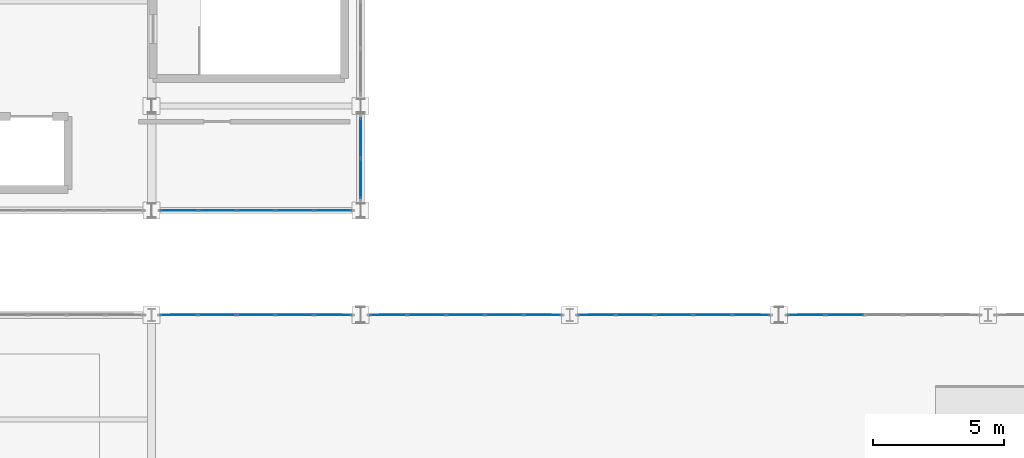
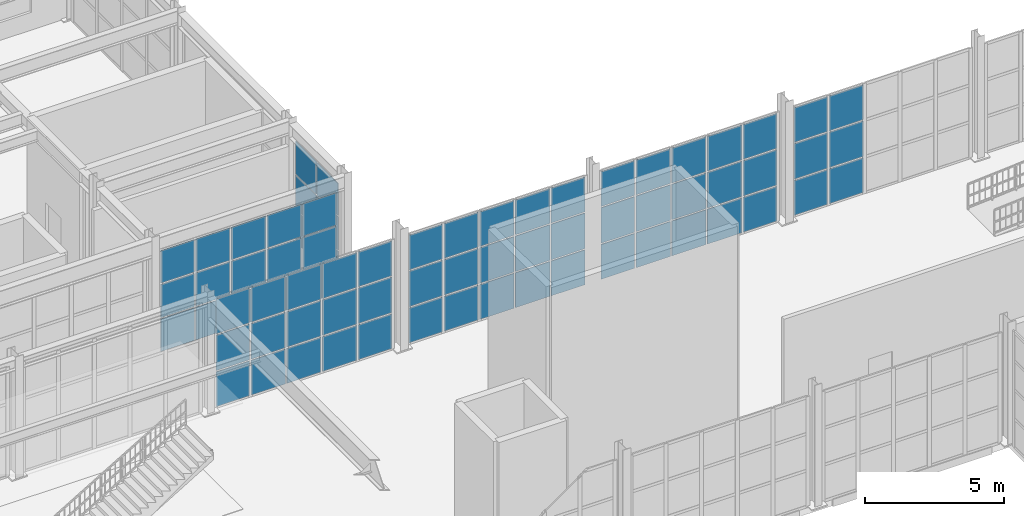
# One storey, part 58 of 82: 72 plates, 6 elements without a shape of their own.
"""IFC4 building model written with IfcOpenShell, lengths in metres."""

from ifc_helpers import new_model, si_unit, direction, frame, origin, origin_2d, place, context, subcontext, project, spatial, rectangle, extrude, material, layer, layer_set, type_object, element, aggregate, save


model = new_model("IFC4")

# Units and contexts
model_context = context("Model", 3, precision=1e-05, world=origin(), true_north=direction((0.0, 1.0)))
body_context = subcontext(model_context, "Body", "Model", "MODEL_VIEW")
ifc_project = project(units=[si_unit("LENGTHUNIT", "METRE"), si_unit("AREAUNIT", "SQUARE_METRE"), si_unit("VOLUMEUNIT", "CUBIC_METRE"), si_unit("PLANEANGLEUNIT", "RADIAN"), si_unit("MASSUNIT", "GRAM", prefix="KILO")], contexts=[model_context])

# Site, building, storey
site_placement = place(None, origin())
site = spatial("IfcSite", under=ifc_project, at=site_placement, CompositionType="ELEMENT")
building_placement = place(site_placement, origin())
building = spatial("IfcBuilding", under=site, at=building_placement, Name="Serraluz Foothill Cableway Terminal", CompositionType="ELEMENT")
storey_placement = place(building_placement, frame((0.0, 0.0, 9.60009765625)))
storey = spatial("IfcBuildingStorey", under=building, at=storey_placement, Name="L02", CompositionType="ELEMENT", Elevation=9.60009765625)

# Curtain wall, plates
ifc_material_1 = material(Name="Architectural bronze alloy C28000", Category="aluminium")
curtain_wall_type_1 = type_object("IfcCurtainWallType", Name="TYP-CW-380X420", PredefinedType="NOTDEFINED", material=ifc_material_1)
curtain_wall_1_placement = place(storey_placement, origin())
curtain_wall_1 = element("IfcCurtainWall", 1, at=curtain_wall_1_placement, inside=storey, type_object=curtain_wall_type_1, Name="Ribbed Glazed Curtain Wall CW-V1N-L02-96", PredefinedType="NOTDEFINED")
ifc_material_2 = material(Name="Translucent ribbed laminated channel glass", Category="glass")
ifc_layer = layer(ifc_material_2, 0.028076171875, Name="Translucent ribbed laminated channel glass", Category="glass")
ifc_layer_set = layer_set([ifc_layer], Name="Translucent ribbed laminated channel glass")
plate_type = type_object("IfcPlateType", Name="TYP-CW-PNL-28", PredefinedType="CURTAIN_PANEL", material=ifc_layer_set)
plate_1_placement = place(storey_placement, frame((97.0380859375, 72.0, 0.06005859375), z_axis=(0.0, 0.0, 1.0), x_axis=(1.0, 0.0, 0.0)))
plate_1 = element("IfcPlate", 2, at=plate_1_placement, type_object=plate_type, Name="CW-17 panel 1.1", PredefinedType="CURTAIN_PANEL", context=body_context, shape_type="SweptSolid", body=[
    extrude(rectangle(XDim=1.393310546875, YDim=0.028076171875, at=origin_2d()), origin(), (0.0, 0.0, 1.0), 1.526611328125),
])
plate_2_placement = place(storey_placement, frame((97.0380859375, 72.0, 1.646484375), z_axis=(0.0, 0.0, 1.0), x_axis=(1.0, 0.0, 0.0)))
plate_2 = element("IfcPlate", 3, at=plate_2_placement, type_object=plate_type, Name="CW-17 panel 1.2", PredefinedType="CURTAIN_PANEL", context=body_context, shape_type="SweptSolid", body=[
    extrude(rectangle(XDim=1.393310546875, YDim=0.028076171875, at=origin_2d()), origin(), (0.0, 0.0, 1.0), 1.556640625),
])
plate_3_placement = place(storey_placement, frame((97.0380859375, 72.0, 3.26318359375), z_axis=(0.0, 0.0, 1.0), x_axis=(1.0, 0.0, 0.0)))
plate_3 = element("IfcPlate", 4, at=plate_3_placement, type_object=plate_type, Name="CW-17 panel 1.3", PredefinedType="CURTAIN_PANEL", context=body_context, shape_type="SweptSolid", body=[
    extrude(rectangle(XDim=1.393310546875, YDim=0.028076171875, at=origin_2d()), origin(), (0.0, 0.0, 1.0), 1.526611328125),
])
plate_4_placement = place(storey_placement, frame((98.50634765625, 72.0, 0.06005859375), z_axis=(0.0, 0.0, 1.0), x_axis=(1.0, 0.0, 0.0)))
plate_4 = element("IfcPlate", 5, at=plate_4_placement, type_object=plate_type, Name="CW-17 panel 2.1", PredefinedType="CURTAIN_PANEL", context=body_context, shape_type="SweptSolid", body=[
    extrude(rectangle(XDim=1.423095703125, YDim=0.028076171875, at=origin_2d()), origin(), (0.0, 0.0, 1.0), 1.526611328125),
])
plate_5_placement = place(storey_placement, frame((98.50634765625, 72.0, 1.646484375), z_axis=(0.0, 0.0, 1.0), x_axis=(1.0, 0.0, 0.0)))
plate_5 = element("IfcPlate", 6, at=plate_5_placement, type_object=plate_type, Name="CW-17 panel 2.2", PredefinedType="CURTAIN_PANEL", context=body_context, shape_type="SweptSolid", body=[
    extrude(rectangle(XDim=1.423095703125, YDim=0.028076171875, at=origin_2d()), origin(), (0.0, 0.0, 1.0), 1.556640625),
])
plate_6_placement = place(storey_placement, frame((98.50634765625, 72.0, 3.26318359375), z_axis=(0.0, 0.0, 1.0), x_axis=(1.0, 0.0, 0.0)))
plate_6 = element("IfcPlate", 7, at=plate_6_placement, type_object=plate_type, Name="CW-17 panel 2.3", PredefinedType="CURTAIN_PANEL", context=body_context, shape_type="SweptSolid", body=[
    extrude(rectangle(XDim=1.423095703125, YDim=0.028076171875, at=origin_2d()), origin(), (0.0, 0.0, 1.0), 1.526611328125),
])
plate_7_placement = place(storey_placement, frame((99.989501953125, 72.0, 0.06005859375), z_axis=(0.0, 0.0, 1.0), x_axis=(1.0, 0.0, 0.0)))
plate_7 = element("IfcPlate", 8, at=plate_7_placement, type_object=plate_type, Name="CW-17 panel 3.1", PredefinedType="CURTAIN_PANEL", context=body_context, shape_type="SweptSolid", body=[
    extrude(rectangle(XDim=1.423095703125, YDim=0.028076171875, at=origin_2d()), origin(), (0.0, 0.0, 1.0), 1.526611328125),
])
plate_8_placement = place(storey_placement, frame((99.989501953125, 72.0, 1.646484375), z_axis=(0.0, 0.0, 1.0), x_axis=(1.0, 0.0, 0.0)))
plate_8 = element("IfcPlate", 9, at=plate_8_placement, type_object=plate_type, Name="CW-17 panel 3.2", PredefinedType="CURTAIN_PANEL", context=body_context, shape_type="SweptSolid", body=[
    extrude(rectangle(XDim=1.423095703125, YDim=0.028076171875, at=origin_2d()), origin(), (0.0, 0.0, 1.0), 1.556640625),
])
plate_9_placement = place(storey_placement, frame((99.989501953125, 72.0, 3.26318359375), z_axis=(0.0, 0.0, 1.0), x_axis=(1.0, 0.0, 0.0)))
plate_9 = element("IfcPlate", 10, at=plate_9_placement, type_object=plate_type, Name="CW-17 panel 3.3", PredefinedType="CURTAIN_PANEL", context=body_context, shape_type="SweptSolid", body=[
    extrude(rectangle(XDim=1.423095703125, YDim=0.028076171875, at=origin_2d()), origin(), (0.0, 0.0, 1.0), 1.526611328125),
])
plate_10_placement = place(storey_placement, frame((101.47265625, 72.0, 0.06005859375), z_axis=(0.0, 0.0, 1.0), x_axis=(1.0, 0.0, 0.0)))
plate_10 = element("IfcPlate", 11, at=plate_10_placement, type_object=plate_type, Name="CW-17 panel 4.1", PredefinedType="CURTAIN_PANEL", context=body_context, shape_type="SweptSolid", body=[
    extrude(rectangle(XDim=1.423095703125, YDim=0.028076171875, at=origin_2d()), origin(), (0.0, 0.0, 1.0), 1.526611328125),
])
plate_11_placement = place(storey_placement, frame((101.47265625, 72.0, 1.646484375), z_axis=(0.0, 0.0, 1.0), x_axis=(1.0, 0.0, 0.0)))
plate_11 = element("IfcPlate", 12, at=plate_11_placement, type_object=plate_type, Name="CW-17 panel 4.2", PredefinedType="CURTAIN_PANEL", context=body_context, shape_type="SweptSolid", body=[
    extrude(rectangle(XDim=1.423095703125, YDim=0.028076171875, at=origin_2d()), origin(), (0.0, 0.0, 1.0), 1.556640625),
])
plate_12_placement = place(storey_placement, frame((101.47265625, 72.0, 3.26318359375), z_axis=(0.0, 0.0, 1.0), x_axis=(1.0, 0.0, 0.0)))
plate_12 = element("IfcPlate", 13, at=plate_12_placement, type_object=plate_type, Name="CW-17 panel 4.3", PredefinedType="CURTAIN_PANEL", context=body_context, shape_type="SweptSolid", body=[
    extrude(rectangle(XDim=1.423095703125, YDim=0.028076171875, at=origin_2d()), origin(), (0.0, 0.0, 1.0), 1.526611328125),
])
plate_13_placement = place(storey_placement, frame((102.94091796875, 72.0, 0.06005859375), z_axis=(0.0, 0.0, 1.0), x_axis=(1.0, 0.0, 0.0)))
plate_13 = element("IfcPlate", 14, at=plate_13_placement, type_object=plate_type, Name="CW-17 panel 5.1", PredefinedType="CURTAIN_PANEL", context=body_context, shape_type="SweptSolid", body=[
    extrude(rectangle(XDim=1.393310546875, YDim=0.028076171875, at=origin_2d()), origin(), (0.0, 0.0, 1.0), 1.526611328125),
])
plate_14_placement = place(storey_placement, frame((102.94091796875, 72.0, 1.646484375), z_axis=(0.0, 0.0, 1.0), x_axis=(1.0, 0.0, 0.0)))
plate_14 = element("IfcPlate", 15, at=plate_14_placement, type_object=plate_type, Name="CW-17 panel 5.2", PredefinedType="CURTAIN_PANEL", context=body_context, shape_type="SweptSolid", body=[
    extrude(rectangle(XDim=1.393310546875, YDim=0.028076171875, at=origin_2d()), origin(), (0.0, 0.0, 1.0), 1.556640625),
])
plate_15_placement = place(storey_placement, frame((102.94091796875, 72.0, 3.26318359375), z_axis=(0.0, 0.0, 1.0), x_axis=(1.0, 0.0, 0.0)))
plate_15 = element("IfcPlate", 16, at=plate_15_placement, type_object=plate_type, Name="CW-17 panel 5.3", PredefinedType="CURTAIN_PANEL", context=body_context, shape_type="SweptSolid", body=[
    extrude(rectangle(XDim=1.393310546875, YDim=0.028076171875, at=origin_2d()), origin(), (0.0, 0.0, 1.0), 1.526611328125),
])
aggregate(curtain_wall_1, [plate_1, plate_2, plate_3, plate_4, plate_5, plate_6, plate_7, plate_8, plate_9, plate_10, plate_11, plate_12, plate_13, plate_14, plate_15])

curtain_wall_type_2 = type_object("IfcCurtainWallType", Name="TYP-CW-360X380", PredefinedType="NOTDEFINED", material=ifc_material_1)
curtain_wall_2_placement = place(storey_placement, origin())
curtain_wall_2 = element("IfcCurtainWall", 17, at=curtain_wall_2_placement, inside=storey, type_object=curtain_wall_type_2, Name="Ribbed Glazed Curtain Wall CW-V1N-L02-104", PredefinedType="NOTDEFINED")
plate_16_placement = place(storey_placement, frame((105.05908203125, 72.0, 0.06005859375), z_axis=(0.0, 0.0, 1.0), x_axis=(1.0, 0.0, 0.0)))
plate_16 = element("IfcPlate", 18, at=plate_16_placement, type_object=plate_type, Name="CW-18 panel 1.1", PredefinedType="CURTAIN_PANEL", context=body_context, shape_type="SweptSolid", body=[
    extrude(rectangle(XDim=1.393310546875, YDim=0.028076171875, at=origin_2d()), origin(), (0.0, 0.0, 1.0), 1.526611328125),
])
plate_17_placement = place(storey_placement, frame((105.05908203125, 72.0, 1.646484375), z_axis=(0.0, 0.0, 1.0), x_axis=(1.0, 0.0, 0.0)))
plate_17 = element("IfcPlate", 19, at=plate_17_placement, type_object=plate_type, Name="CW-18 panel 1.2", PredefinedType="CURTAIN_PANEL", context=body_context, shape_type="SweptSolid", body=[
    extrude(rectangle(XDim=1.393310546875, YDim=0.028076171875, at=origin_2d()), origin(), (0.0, 0.0, 1.0), 1.556640625),
])
plate_18_placement = place(storey_placement, frame((105.05908203125, 72.0, 3.26318359375), z_axis=(0.0, 0.0, 1.0), x_axis=(1.0, 0.0, 0.0)))
plate_18 = element("IfcPlate", 20, at=plate_18_placement, type_object=plate_type, Name="CW-18 panel 1.3", PredefinedType="CURTAIN_PANEL", context=body_context, shape_type="SweptSolid", body=[
    extrude(rectangle(XDim=1.393310546875, YDim=0.028076171875, at=origin_2d()), origin(), (0.0, 0.0, 1.0), 1.526611328125),
])
plate_19_placement = place(storey_placement, frame((106.52734375, 72.0, 0.06005859375), z_axis=(0.0, 0.0, 1.0), x_axis=(1.0, 0.0, 0.0)))
plate_19 = element("IfcPlate", 21, at=plate_19_placement, type_object=plate_type, Name="CW-18 panel 2.1", PredefinedType="CURTAIN_PANEL", context=body_context, shape_type="SweptSolid", body=[
    extrude(rectangle(XDim=1.423095703125, YDim=0.028076171875, at=origin_2d()), origin(), (0.0, 0.0, 1.0), 1.526611328125),
])
plate_20_placement = place(storey_placement, frame((106.52734375, 72.0, 1.646484375), z_axis=(0.0, 0.0, 1.0), x_axis=(1.0, 0.0, 0.0)))
plate_20 = element("IfcPlate", 22, at=plate_20_placement, type_object=plate_type, Name="CW-18 panel 2.2", PredefinedType="CURTAIN_PANEL", context=body_context, shape_type="SweptSolid", body=[
    extrude(rectangle(XDim=1.423095703125, YDim=0.028076171875, at=origin_2d()), origin(), (0.0, 0.0, 1.0), 1.556640625),
])
plate_21_placement = place(storey_placement, frame((106.52734375, 72.0, 3.26318359375), z_axis=(0.0, 0.0, 1.0), x_axis=(1.0, 0.0, 0.0)))
plate_21 = element("IfcPlate", 23, at=plate_21_placement, type_object=plate_type, Name="CW-18 panel 2.3", PredefinedType="CURTAIN_PANEL", context=body_context, shape_type="SweptSolid", body=[
    extrude(rectangle(XDim=1.423095703125, YDim=0.028076171875, at=origin_2d()), origin(), (0.0, 0.0, 1.0), 1.526611328125),
])
plate_22_placement = place(storey_placement, frame((108.010498046875, 72.0, 0.06005859375), z_axis=(0.0, 0.0, 1.0), x_axis=(1.0, 0.0, 0.0)))
plate_22 = element("IfcPlate", 24, at=plate_22_placement, type_object=plate_type, Name="CW-18 panel 3.1", PredefinedType="CURTAIN_PANEL", context=body_context, shape_type="SweptSolid", body=[
    extrude(rectangle(XDim=1.423095703125, YDim=0.028076171875, at=origin_2d()), origin(), (0.0, 0.0, 1.0), 1.526611328125),
])
plate_23_placement = place(storey_placement, frame((108.010498046875, 72.0, 1.646484375), z_axis=(0.0, 0.0, 1.0), x_axis=(1.0, 0.0, 0.0)))
plate_23 = element("IfcPlate", 25, at=plate_23_placement, type_object=plate_type, Name="CW-18 panel 3.2", PredefinedType="CURTAIN_PANEL", context=body_context, shape_type="SweptSolid", body=[
    extrude(rectangle(XDim=1.423095703125, YDim=0.028076171875, at=origin_2d()), origin(), (0.0, 0.0, 1.0), 1.556640625),
])
plate_24_placement = place(storey_placement, frame((108.010498046875, 72.0, 3.26318359375), z_axis=(0.0, 0.0, 1.0), x_axis=(1.0, 0.0, 0.0)))
plate_24 = element("IfcPlate", 26, at=plate_24_placement, type_object=plate_type, Name="CW-18 panel 3.3", PredefinedType="CURTAIN_PANEL", context=body_context, shape_type="SweptSolid", body=[
    extrude(rectangle(XDim=1.423095703125, YDim=0.028076171875, at=origin_2d()), origin(), (0.0, 0.0, 1.0), 1.526611328125),
])
plate_25_placement = place(storey_placement, frame((109.49365234375, 72.0, 0.06005859375), z_axis=(0.0, 0.0, 1.0), x_axis=(1.0, 0.0, 0.0)))
plate_25 = element("IfcPlate", 27, at=plate_25_placement, type_object=plate_type, Name="CW-18 panel 4.1", PredefinedType="CURTAIN_PANEL", context=body_context, shape_type="SweptSolid", body=[
    extrude(rectangle(XDim=1.423095703125, YDim=0.028076171875, at=origin_2d()), origin(), (0.0, 0.0, 1.0), 1.526611328125),
])
plate_26_placement = place(storey_placement, frame((109.49365234375, 72.0, 1.646484375), z_axis=(0.0, 0.0, 1.0), x_axis=(1.0, 0.0, 0.0)))
plate_26 = element("IfcPlate", 28, at=plate_26_placement, type_object=plate_type, Name="CW-18 panel 4.2", PredefinedType="CURTAIN_PANEL", context=body_context, shape_type="SweptSolid", body=[
    extrude(rectangle(XDim=1.423095703125, YDim=0.028076171875, at=origin_2d()), origin(), (0.0, 0.0, 1.0), 1.556640625),
])
plate_27_placement = place(storey_placement, frame((109.49365234375, 72.0, 3.26318359375), z_axis=(0.0, 0.0, 1.0), x_axis=(1.0, 0.0, 0.0)))
plate_27 = element("IfcPlate", 29, at=plate_27_placement, type_object=plate_type, Name="CW-18 panel 4.3", PredefinedType="CURTAIN_PANEL", context=body_context, shape_type="SweptSolid", body=[
    extrude(rectangle(XDim=1.423095703125, YDim=0.028076171875, at=origin_2d()), origin(), (0.0, 0.0, 1.0), 1.526611328125),
])
plate_28_placement = place(storey_placement, frame((110.9619140625, 72.0, 0.06005859375), z_axis=(0.0, 0.0, 1.0), x_axis=(1.0, 0.0, 0.0)))
plate_28 = element("IfcPlate", 30, at=plate_28_placement, type_object=plate_type, Name="CW-18 panel 5.1", PredefinedType="CURTAIN_PANEL", context=body_context, shape_type="SweptSolid", body=[
    extrude(rectangle(XDim=1.393310546875, YDim=0.028076171875, at=origin_2d()), origin(), (0.0, 0.0, 1.0), 1.526611328125),
])
plate_29_placement = place(storey_placement, frame((110.9619140625, 72.0, 1.646484375), z_axis=(0.0, 0.0, 1.0), x_axis=(1.0, 0.0, 0.0)))
plate_29 = element("IfcPlate", 31, at=plate_29_placement, type_object=plate_type, Name="CW-18 panel 5.2", PredefinedType="CURTAIN_PANEL", context=body_context, shape_type="SweptSolid", body=[
    extrude(rectangle(XDim=1.393310546875, YDim=0.028076171875, at=origin_2d()), origin(), (0.0, 0.0, 1.0), 1.556640625),
])
plate_30_placement = place(storey_placement, frame((110.9619140625, 72.0, 3.26318359375), z_axis=(0.0, 0.0, 1.0), x_axis=(1.0, 0.0, 0.0)))
plate_30 = element("IfcPlate", 32, at=plate_30_placement, type_object=plate_type, Name="CW-18 panel 5.3", PredefinedType="CURTAIN_PANEL", context=body_context, shape_type="SweptSolid", body=[
    extrude(rectangle(XDim=1.393310546875, YDim=0.028076171875, at=origin_2d()), origin(), (0.0, 0.0, 1.0), 1.526611328125),
])
aggregate(curtain_wall_2, [plate_16, plate_17, plate_18, plate_19, plate_20, plate_21, plate_22, plate_23, plate_24, plate_25, plate_26, plate_27, plate_28, plate_29, plate_30])

curtain_wall_type_3 = type_object("IfcCurtainWallType", Name="TYP-CW-880X420", PredefinedType="NOTDEFINED", material=ifc_material_1)
curtain_wall_3_placement = place(storey_placement, origin())
curtain_wall_3 = element("IfcCurtainWall", 33, at=curtain_wall_3_placement, inside=storey, type_object=curtain_wall_type_3, Name="Ribbed Glazed Curtain Wall CW-V1N-L02-112", PredefinedType="NOTDEFINED")
plate_31_placement = place(storey_placement, frame((113.0380859375, 72.0, 0.06005859375), z_axis=(0.0, 0.0, 1.0), x_axis=(1.0, 0.0, 0.0)))
plate_31 = element("IfcPlate", 34, at=plate_31_placement, type_object=plate_type, Name="CW-19 panel 1.1", PredefinedType="CURTAIN_PANEL", context=body_context, shape_type="SweptSolid", body=[
    extrude(rectangle(XDim=1.393310546875, YDim=0.028076171875, at=origin_2d()), origin(), (0.0, 0.0, 1.0), 1.526611328125),
])
plate_32_placement = place(storey_placement, frame((113.0380859375, 72.0, 1.646484375), z_axis=(0.0, 0.0, 1.0), x_axis=(1.0, 0.0, 0.0)))
plate_32 = element("IfcPlate", 35, at=plate_32_placement, type_object=plate_type, Name="CW-19 panel 1.2", PredefinedType="CURTAIN_PANEL", context=body_context, shape_type="SweptSolid", body=[
    extrude(rectangle(XDim=1.393310546875, YDim=0.028076171875, at=origin_2d()), origin(), (0.0, 0.0, 1.0), 1.556640625),
])
plate_33_placement = place(storey_placement, frame((113.0380859375, 72.0, 3.26318359375), z_axis=(0.0, 0.0, 1.0), x_axis=(1.0, 0.0, 0.0)))
plate_33 = element("IfcPlate", 36, at=plate_33_placement, type_object=plate_type, Name="CW-19 panel 1.3", PredefinedType="CURTAIN_PANEL", context=body_context, shape_type="SweptSolid", body=[
    extrude(rectangle(XDim=1.393310546875, YDim=0.028076171875, at=origin_2d()), origin(), (0.0, 0.0, 1.0), 1.526611328125),
])
plate_34_placement = place(storey_placement, frame((114.50634765625, 72.0, 0.06005859375), z_axis=(0.0, 0.0, 1.0), x_axis=(1.0, 0.0, 0.0)))
plate_34 = element("IfcPlate", 37, at=plate_34_placement, type_object=plate_type, Name="CW-19 panel 2.1", PredefinedType="CURTAIN_PANEL", context=body_context, shape_type="SweptSolid", body=[
    extrude(rectangle(XDim=1.423095703125, YDim=0.028076171875, at=origin_2d()), origin(), (0.0, 0.0, 1.0), 1.526611328125),
])
plate_35_placement = place(storey_placement, frame((114.50634765625, 72.0, 1.646484375), z_axis=(0.0, 0.0, 1.0), x_axis=(1.0, 0.0, 0.0)))
plate_35 = element("IfcPlate", 38, at=plate_35_placement, type_object=plate_type, Name="CW-19 panel 2.2", PredefinedType="CURTAIN_PANEL", context=body_context, shape_type="SweptSolid", body=[
    extrude(rectangle(XDim=1.423095703125, YDim=0.028076171875, at=origin_2d()), origin(), (0.0, 0.0, 1.0), 1.556640625),
])
plate_36_placement = place(storey_placement, frame((114.50634765625, 72.0, 3.26318359375), z_axis=(0.0, 0.0, 1.0), x_axis=(1.0, 0.0, 0.0)))
plate_36 = element("IfcPlate", 39, at=plate_36_placement, type_object=plate_type, Name="CW-19 panel 2.3", PredefinedType="CURTAIN_PANEL", context=body_context, shape_type="SweptSolid", body=[
    extrude(rectangle(XDim=1.423095703125, YDim=0.028076171875, at=origin_2d()), origin(), (0.0, 0.0, 1.0), 1.526611328125),
])
plate_37_placement = place(storey_placement, frame((115.989501953125, 72.0, 0.06005859375), z_axis=(0.0, 0.0, 1.0), x_axis=(1.0, 0.0, 0.0)))
plate_37 = element("IfcPlate", 40, at=plate_37_placement, type_object=plate_type, Name="CW-19 panel 3.1", PredefinedType="CURTAIN_PANEL", context=body_context, shape_type="SweptSolid", body=[
    extrude(rectangle(XDim=1.423095703125, YDim=0.028076171875, at=origin_2d()), origin(), (0.0, 0.0, 1.0), 1.526611328125),
])
plate_38_placement = place(storey_placement, frame((115.989501953125, 72.0, 1.646484375), z_axis=(0.0, 0.0, 1.0), x_axis=(1.0, 0.0, 0.0)))
plate_38 = element("IfcPlate", 41, at=plate_38_placement, type_object=plate_type, Name="CW-19 panel 3.2", PredefinedType="CURTAIN_PANEL", context=body_context, shape_type="SweptSolid", body=[
    extrude(rectangle(XDim=1.423095703125, YDim=0.028076171875, at=origin_2d()), origin(), (0.0, 0.0, 1.0), 1.556640625),
])
plate_39_placement = place(storey_placement, frame((115.989501953125, 72.0, 3.26318359375), z_axis=(0.0, 0.0, 1.0), x_axis=(1.0, 0.0, 0.0)))
plate_39 = element("IfcPlate", 42, at=plate_39_placement, type_object=plate_type, Name="CW-19 panel 3.3", PredefinedType="CURTAIN_PANEL", context=body_context, shape_type="SweptSolid", body=[
    extrude(rectangle(XDim=1.423095703125, YDim=0.028076171875, at=origin_2d()), origin(), (0.0, 0.0, 1.0), 1.526611328125),
])
plate_40_placement = place(storey_placement, frame((117.47265625, 72.0, 0.06005859375), z_axis=(0.0, 0.0, 1.0), x_axis=(1.0, 0.0, 0.0)))
plate_40 = element("IfcPlate", 43, at=plate_40_placement, type_object=plate_type, Name="CW-19 panel 4.1", PredefinedType="CURTAIN_PANEL", context=body_context, shape_type="SweptSolid", body=[
    extrude(rectangle(XDim=1.423095703125, YDim=0.028076171875, at=origin_2d()), origin(), (0.0, 0.0, 1.0), 1.526611328125),
])
plate_41_placement = place(storey_placement, frame((117.47265625, 72.0, 1.646484375), z_axis=(0.0, 0.0, 1.0), x_axis=(1.0, 0.0, 0.0)))
plate_41 = element("IfcPlate", 44, at=plate_41_placement, type_object=plate_type, Name="CW-19 panel 4.2", PredefinedType="CURTAIN_PANEL", context=body_context, shape_type="SweptSolid", body=[
    extrude(rectangle(XDim=1.423095703125, YDim=0.028076171875, at=origin_2d()), origin(), (0.0, 0.0, 1.0), 1.556640625),
])
plate_42_placement = place(storey_placement, frame((117.47265625, 72.0, 3.26318359375), z_axis=(0.0, 0.0, 1.0), x_axis=(1.0, 0.0, 0.0)))
plate_42 = element("IfcPlate", 45, at=plate_42_placement, type_object=plate_type, Name="CW-19 panel 4.3", PredefinedType="CURTAIN_PANEL", context=body_context, shape_type="SweptSolid", body=[
    extrude(rectangle(XDim=1.423095703125, YDim=0.028076171875, at=origin_2d()), origin(), (0.0, 0.0, 1.0), 1.526611328125),
])
plate_43_placement = place(storey_placement, frame((118.94091796875, 72.0, 0.06005859375), z_axis=(0.0, 0.0, 1.0), x_axis=(1.0, 0.0, 0.0)))
plate_43 = element("IfcPlate", 46, at=plate_43_placement, type_object=plate_type, Name="CW-19 panel 5.1", PredefinedType="CURTAIN_PANEL", context=body_context, shape_type="SweptSolid", body=[
    extrude(rectangle(XDim=1.393310546875, YDim=0.028076171875, at=origin_2d()), origin(), (0.0, 0.0, 1.0), 1.526611328125),
])
plate_44_placement = place(storey_placement, frame((118.94091796875, 72.0, 1.646484375), z_axis=(0.0, 0.0, 1.0), x_axis=(1.0, 0.0, 0.0)))
plate_44 = element("IfcPlate", 47, at=plate_44_placement, type_object=plate_type, Name="CW-19 panel 5.2", PredefinedType="CURTAIN_PANEL", context=body_context, shape_type="SweptSolid", body=[
    extrude(rectangle(XDim=1.393310546875, YDim=0.028076171875, at=origin_2d()), origin(), (0.0, 0.0, 1.0), 1.556640625),
])
plate_45_placement = place(storey_placement, frame((118.94091796875, 72.0, 3.26318359375), z_axis=(0.0, 0.0, 1.0), x_axis=(1.0, 0.0, 0.0)))
plate_45 = element("IfcPlate", 48, at=plate_45_placement, type_object=plate_type, Name="CW-19 panel 5.3", PredefinedType="CURTAIN_PANEL", context=body_context, shape_type="SweptSolid", body=[
    extrude(rectangle(XDim=1.393310546875, YDim=0.028076171875, at=origin_2d()), origin(), (0.0, 0.0, 1.0), 1.526611328125),
])
aggregate(curtain_wall_3, [plate_31, plate_32, plate_33, plate_34, plate_35, plate_36, plate_37, plate_38, plate_39, plate_40, plate_41, plate_42, plate_43, plate_44, plate_45])

curtain_wall_type_4 = type_object("IfcCurtainWallType", Name="TYP-CW-920X440", PredefinedType="NOTDEFINED", material=ifc_material_1)
curtain_wall_4_placement = place(storey_placement, origin())
curtain_wall_4 = element("IfcCurtainWall", 49, at=curtain_wall_4_placement, inside=storey, type_object=curtain_wall_type_4, Name="Ribbed Glazed Curtain Wall CW-V1N-L02-120", PredefinedType="NOTDEFINED")
plate_46_placement = place(storey_placement, frame((121.05908203125, 72.0, 0.06005859375), z_axis=(0.0, 0.0, 1.0), x_axis=(1.0, 0.0, 0.0)))
plate_46 = element("IfcPlate", 50, at=plate_46_placement, type_object=plate_type, Name="CW-20 panel 1.1", PredefinedType="CURTAIN_PANEL", context=body_context, shape_type="SweptSolid", body=[
    extrude(rectangle(XDim=1.393310546875, YDim=0.028076171875, at=origin_2d()), origin(), (0.0, 0.0, 1.0), 1.526611328125),
])
plate_47_placement = place(storey_placement, frame((121.05908203125, 72.0, 1.646484375), z_axis=(0.0, 0.0, 1.0), x_axis=(1.0, 0.0, 0.0)))
plate_47 = element("IfcPlate", 51, at=plate_47_placement, type_object=plate_type, Name="CW-20 panel 1.2", PredefinedType="CURTAIN_PANEL", context=body_context, shape_type="SweptSolid", body=[
    extrude(rectangle(XDim=1.393310546875, YDim=0.028076171875, at=origin_2d()), origin(), (0.0, 0.0, 1.0), 1.556640625),
])
plate_48_placement = place(storey_placement, frame((121.05908203125, 72.0, 3.26318359375), z_axis=(0.0, 0.0, 1.0), x_axis=(1.0, 0.0, 0.0)))
plate_48 = element("IfcPlate", 52, at=plate_48_placement, type_object=plate_type, Name="CW-20 panel 1.3", PredefinedType="CURTAIN_PANEL", context=body_context, shape_type="SweptSolid", body=[
    extrude(rectangle(XDim=1.393310546875, YDim=0.028076171875, at=origin_2d()), origin(), (0.0, 0.0, 1.0), 1.526611328125),
])
plate_49_placement = place(storey_placement, frame((122.52734375, 72.0, 0.06005859375), z_axis=(0.0, 0.0, 1.0), x_axis=(1.0, 0.0, 0.0)))
plate_49 = element("IfcPlate", 53, at=plate_49_placement, type_object=plate_type, Name="CW-20 panel 2.1", PredefinedType="CURTAIN_PANEL", context=body_context, shape_type="SweptSolid", body=[
    extrude(rectangle(XDim=1.423095703125, YDim=0.028076171875, at=origin_2d()), origin(), (0.0, 0.0, 1.0), 1.526611328125),
])
plate_50_placement = place(storey_placement, frame((122.52734375, 72.0, 1.646484375), z_axis=(0.0, 0.0, 1.0), x_axis=(1.0, 0.0, 0.0)))
plate_50 = element("IfcPlate", 54, at=plate_50_placement, type_object=plate_type, Name="CW-20 panel 2.2", PredefinedType="CURTAIN_PANEL", context=body_context, shape_type="SweptSolid", body=[
    extrude(rectangle(XDim=1.423095703125, YDim=0.028076171875, at=origin_2d()), origin(), (0.0, 0.0, 1.0), 1.556640625),
])
plate_51_placement = place(storey_placement, frame((122.52734375, 72.0, 3.26318359375), z_axis=(0.0, 0.0, 1.0), x_axis=(1.0, 0.0, 0.0)))
plate_51 = element("IfcPlate", 55, at=plate_51_placement, type_object=plate_type, Name="CW-20 panel 2.3", PredefinedType="CURTAIN_PANEL", context=body_context, shape_type="SweptSolid", body=[
    extrude(rectangle(XDim=1.423095703125, YDim=0.028076171875, at=origin_2d()), origin(), (0.0, 0.0, 1.0), 1.526611328125),
])
aggregate(curtain_wall_4, [plate_46, plate_47, plate_48, plate_49, plate_50, plate_51])

curtain_wall_type_5 = type_object("IfcCurtainWallType", Name="TYP-CW-680X420", PredefinedType="NOTDEFINED", material=ifc_material_1)
curtain_wall_5_placement = place(storey_placement, origin())
curtain_wall_5 = element("IfcCurtainWall", 56, at=curtain_wall_5_placement, inside=storey, type_object=curtain_wall_type_5, Name="Ribbed Glazed Curtain Wall CW-V4S-L02-96", PredefinedType="NOTDEFINED")
plate_52_placement = place(storey_placement, frame((102.9482421875, 76.0, 0.06005859375), z_axis=(0.0, 0.0, 1.0), x_axis=(-1.0, 0.0, 0.0)))
plate_52 = element("IfcPlate", 57, at=plate_52_placement, type_object=plate_type, Name="CW-13 panel 1.1", PredefinedType="CURTAIN_PANEL", context=body_context, shape_type="SweptSolid", body=[
    extrude(rectangle(XDim=1.3916015625, YDim=0.028076171875, at=origin_2d()), origin(), (0.0, 0.0, 1.0), 1.426025390625),
])
plate_53_placement = place(storey_placement, frame((102.9482421875, 76.0, 1.5458984375), z_axis=(0.0, 0.0, 1.0), x_axis=(-1.0, 0.0, 0.0)))
plate_53 = element("IfcPlate", 58, at=plate_53_placement, type_object=plate_type, Name="CW-13 panel 1.2", PredefinedType="CURTAIN_PANEL", context=body_context, shape_type="SweptSolid", body=[
    extrude(rectangle(XDim=1.3916015625, YDim=0.028076171875, at=origin_2d()), origin(), (0.0, 0.0, 1.0), 1.4560546875),
])
plate_54_placement = place(storey_placement, frame((102.9482421875, 76.0, 3.06201171875), z_axis=(0.0, 0.0, 1.0), x_axis=(-1.0, 0.0, 0.0)))
plate_54 = element("IfcPlate", 59, at=plate_54_placement, type_object=plate_type, Name="CW-13 panel 1.3", PredefinedType="CURTAIN_PANEL", context=body_context, shape_type="SweptSolid", body=[
    extrude(rectangle(XDim=1.3916015625, YDim=0.028076171875, at=origin_2d()), origin(), (0.0, 0.0, 1.0), 1.426025390625),
])
plate_55_placement = place(storey_placement, frame((101.481689453125, 76.0, 0.06005859375), z_axis=(0.0, 0.0, 1.0), x_axis=(-1.0, 0.0, 0.0)))
plate_55 = element("IfcPlate", 60, at=plate_55_placement, type_object=plate_type, Name="CW-13 panel 2.1", PredefinedType="CURTAIN_PANEL", context=body_context, shape_type="SweptSolid", body=[
    extrude(rectangle(XDim=1.421630859375, YDim=0.028076171875, at=origin_2d()), origin(), (0.0, 0.0, 1.0), 1.426025390625),
])
plate_56_placement = place(storey_placement, frame((101.481689453125, 76.0, 1.5458984375), z_axis=(0.0, 0.0, 1.0), x_axis=(-1.0, 0.0, 0.0)))
plate_56 = element("IfcPlate", 61, at=plate_56_placement, type_object=plate_type, Name="CW-13 panel 2.2", PredefinedType="CURTAIN_PANEL", context=body_context, shape_type="SweptSolid", body=[
    extrude(rectangle(XDim=1.421630859375, YDim=0.028076171875, at=origin_2d()), origin(), (0.0, 0.0, 1.0), 1.4560546875),
])
plate_57_placement = place(storey_placement, frame((101.481689453125, 76.0, 3.06201171875), z_axis=(0.0, 0.0, 1.0), x_axis=(-1.0, 0.0, 0.0)))
plate_57 = element("IfcPlate", 62, at=plate_57_placement, type_object=plate_type, Name="CW-13 panel 2.3", PredefinedType="CURTAIN_PANEL", context=body_context, shape_type="SweptSolid", body=[
    extrude(rectangle(XDim=1.421630859375, YDim=0.028076171875, at=origin_2d()), origin(), (0.0, 0.0, 1.0), 1.426025390625),
])
plate_58_placement = place(storey_placement, frame((100.0, 76.0, 0.06005859375), z_axis=(0.0, 0.0, 1.0), x_axis=(-1.0, 0.0, 0.0)))
plate_58 = element("IfcPlate", 63, at=plate_58_placement, type_object=plate_type, Name="CW-13 panel 3.1", PredefinedType="CURTAIN_PANEL", context=body_context, shape_type="SweptSolid", body=[
    extrude(rectangle(XDim=1.421630859375, YDim=0.028076171875, at=origin_2d()), origin(), (0.0, 0.0, 1.0), 1.426025390625),
])
plate_59_placement = place(storey_placement, frame((100.0, 76.0, 1.5458984375), z_axis=(0.0, 0.0, 1.0), x_axis=(-1.0, 0.0, 0.0)))
plate_59 = element("IfcPlate", 64, at=plate_59_placement, type_object=plate_type, Name="CW-13 panel 3.2", PredefinedType="CURTAIN_PANEL", context=body_context, shape_type="SweptSolid", body=[
    extrude(rectangle(XDim=1.421630859375, YDim=0.028076171875, at=origin_2d()), origin(), (0.0, 0.0, 1.0), 1.4560546875),
])
plate_60_placement = place(storey_placement, frame((100.0, 76.0, 3.06201171875), z_axis=(0.0, 0.0, 1.0), x_axis=(-1.0, 0.0, 0.0)))
plate_60 = element("IfcPlate", 65, at=plate_60_placement, type_object=plate_type, Name="CW-13 panel 3.3", PredefinedType="CURTAIN_PANEL", context=body_context, shape_type="SweptSolid", body=[
    extrude(rectangle(XDim=1.421630859375, YDim=0.028076171875, at=origin_2d()), origin(), (0.0, 0.0, 1.0), 1.426025390625),
])
plate_61_placement = place(storey_placement, frame((98.518310546875, 76.0, 0.06005859375), z_axis=(0.0, 0.0, 1.0), x_axis=(-1.0, 0.0, 0.0)))
plate_61 = element("IfcPlate", 66, at=plate_61_placement, type_object=plate_type, Name="CW-13 panel 4.1", PredefinedType="CURTAIN_PANEL", context=body_context, shape_type="SweptSolid", body=[
    extrude(rectangle(XDim=1.421630859375, YDim=0.028076171875, at=origin_2d()), origin(), (0.0, 0.0, 1.0), 1.426025390625),
])
plate_62_placement = place(storey_placement, frame((98.518310546875, 76.0, 1.5458984375), z_axis=(0.0, 0.0, 1.0), x_axis=(-1.0, 0.0, 0.0)))
plate_62 = element("IfcPlate", 67, at=plate_62_placement, type_object=plate_type, Name="CW-13 panel 4.2", PredefinedType="CURTAIN_PANEL", context=body_context, shape_type="SweptSolid", body=[
    extrude(rectangle(XDim=1.421630859375, YDim=0.028076171875, at=origin_2d()), origin(), (0.0, 0.0, 1.0), 1.4560546875),
])
plate_63_placement = place(storey_placement, frame((98.518310546875, 76.0, 3.06201171875), z_axis=(0.0, 0.0, 1.0), x_axis=(-1.0, 0.0, 0.0)))
plate_63 = element("IfcPlate", 68, at=plate_63_placement, type_object=plate_type, Name="CW-13 panel 4.3", PredefinedType="CURTAIN_PANEL", context=body_context, shape_type="SweptSolid", body=[
    extrude(rectangle(XDim=1.421630859375, YDim=0.028076171875, at=origin_2d()), origin(), (0.0, 0.0, 1.0), 1.426025390625),
])
plate_64_placement = place(storey_placement, frame((97.0517578125, 76.0, 0.06005859375), z_axis=(0.0, 0.0, 1.0), x_axis=(-1.0, 0.0, 0.0)))
plate_64 = element("IfcPlate", 69, at=plate_64_placement, type_object=plate_type, Name="CW-13 panel 5.1", PredefinedType="CURTAIN_PANEL", context=body_context, shape_type="SweptSolid", body=[
    extrude(rectangle(XDim=1.3916015625, YDim=0.028076171875, at=origin_2d()), origin(), (0.0, 0.0, 1.0), 1.426025390625),
])
plate_65_placement = place(storey_placement, frame((97.0517578125, 76.0, 1.5458984375), z_axis=(0.0, 0.0, 1.0), x_axis=(-1.0, 0.0, 0.0)))
plate_65 = element("IfcPlate", 70, at=plate_65_placement, type_object=plate_type, Name="CW-13 panel 5.2", PredefinedType="CURTAIN_PANEL", context=body_context, shape_type="SweptSolid", body=[
    extrude(rectangle(XDim=1.3916015625, YDim=0.028076171875, at=origin_2d()), origin(), (0.0, 0.0, 1.0), 1.4560546875),
])
plate_66_placement = place(storey_placement, frame((97.0517578125, 76.0, 3.06201171875), z_axis=(0.0, 0.0, 1.0), x_axis=(-1.0, 0.0, 0.0)))
plate_66 = element("IfcPlate", 71, at=plate_66_placement, type_object=plate_type, Name="CW-13 panel 5.3", PredefinedType="CURTAIN_PANEL", context=body_context, shape_type="SweptSolid", body=[
    extrude(rectangle(XDim=1.3916015625, YDim=0.028076171875, at=origin_2d()), origin(), (0.0, 0.0, 1.0), 1.426025390625),
])
aggregate(curtain_wall_5, [plate_52, plate_53, plate_54, plate_55, plate_56, plate_57, plate_58, plate_59, plate_60, plate_61, plate_62, plate_63, plate_64, plate_65, plate_66])

curtain_wall_6_placement = place(storey_placement, origin())
curtain_wall_6 = element("IfcCurtainWall", 72, at=curtain_wall_6_placement, inside=storey, type_object=curtain_wall_type_5, Name="Ribbed Glazed Curtain Wall CW-V4E-L02-76", PredefinedType="NOTDEFINED")
plate_67_placement = place(storey_placement, frame((104.0, 78.779296875, 0.059814453125), z_axis=(0.0, 0.0, 1.0), x_axis=(0.0, -1.0, 0.0)))
plate_67 = element("IfcPlate", 73, at=plate_67_placement, type_object=plate_type, Name="CW-13 panel 1.1", PredefinedType="CURTAIN_PANEL", context=body_context, shape_type="SweptSolid", body=[
    extrude(rectangle(XDim=1.49853515625, YDim=0.028076171875, at=origin_2d()), origin(), (0.0, 0.0, 1.0), 1.4248046875),
])
plate_68_placement = place(storey_placement, frame((104.0, 78.779296875, 1.544677734375), z_axis=(0.0, 0.0, 1.0), x_axis=(0.0, -1.0, 0.0)))
plate_68 = element("IfcPlate", 74, at=plate_68_placement, type_object=plate_type, Name="CW-13 panel 1.2", PredefinedType="CURTAIN_PANEL", context=body_context, shape_type="SweptSolid", body=[
    extrude(rectangle(XDim=1.49853515625, YDim=0.028076171875, at=origin_2d()), origin(), (0.0, 0.0, 1.0), 1.45458984375),
])
plate_69_placement = place(storey_placement, frame((104.0, 78.779296875, 3.05908203125), z_axis=(0.0, 0.0, 1.0), x_axis=(0.0, -1.0, 0.0)))
plate_69 = element("IfcPlate", 75, at=plate_69_placement, type_object=plate_type, Name="CW-13 panel 1.3", PredefinedType="CURTAIN_PANEL", context=body_context, shape_type="SweptSolid", body=[
    extrude(rectangle(XDim=1.49853515625, YDim=0.028076171875, at=origin_2d()), origin(), (0.0, 0.0, 1.0), 1.4248046875),
])
plate_70_placement = place(storey_placement, frame((104.0, 77.220703125, 0.059814453125), z_axis=(0.0, 0.0, 1.0), x_axis=(0.0, -1.0, 0.0)))
plate_70 = element("IfcPlate", 76, at=plate_70_placement, type_object=plate_type, Name="CW-13 panel 2.1", PredefinedType="CURTAIN_PANEL", context=body_context, shape_type="SweptSolid", body=[
    extrude(rectangle(XDim=1.49853515625, YDim=0.028076171875, at=origin_2d()), origin(), (0.0, 0.0, 1.0), 1.4248046875),
])
plate_71_placement = place(storey_placement, frame((104.0, 77.220703125, 1.544677734375), z_axis=(0.0, 0.0, 1.0), x_axis=(0.0, -1.0, 0.0)))
plate_71 = element("IfcPlate", 77, at=plate_71_placement, type_object=plate_type, Name="CW-13 panel 2.2", PredefinedType="CURTAIN_PANEL", context=body_context, shape_type="SweptSolid", body=[
    extrude(rectangle(XDim=1.49853515625, YDim=0.028076171875, at=origin_2d()), origin(), (0.0, 0.0, 1.0), 1.45458984375),
])
plate_72_placement = place(storey_placement, frame((104.0, 77.220703125, 3.05908203125), z_axis=(0.0, 0.0, 1.0), x_axis=(0.0, -1.0, 0.0)))
plate_72 = element("IfcPlate", 78, at=plate_72_placement, type_object=plate_type, Name="CW-13 panel 2.3", PredefinedType="CURTAIN_PANEL", context=body_context, shape_type="SweptSolid", body=[
    extrude(rectangle(XDim=1.49853515625, YDim=0.028076171875, at=origin_2d()), origin(), (0.0, 0.0, 1.0), 1.4248046875),
])
aggregate(curtain_wall_6, [plate_67, plate_68, plate_69, plate_70, plate_71, plate_72])

save(model, "model.ifc")
